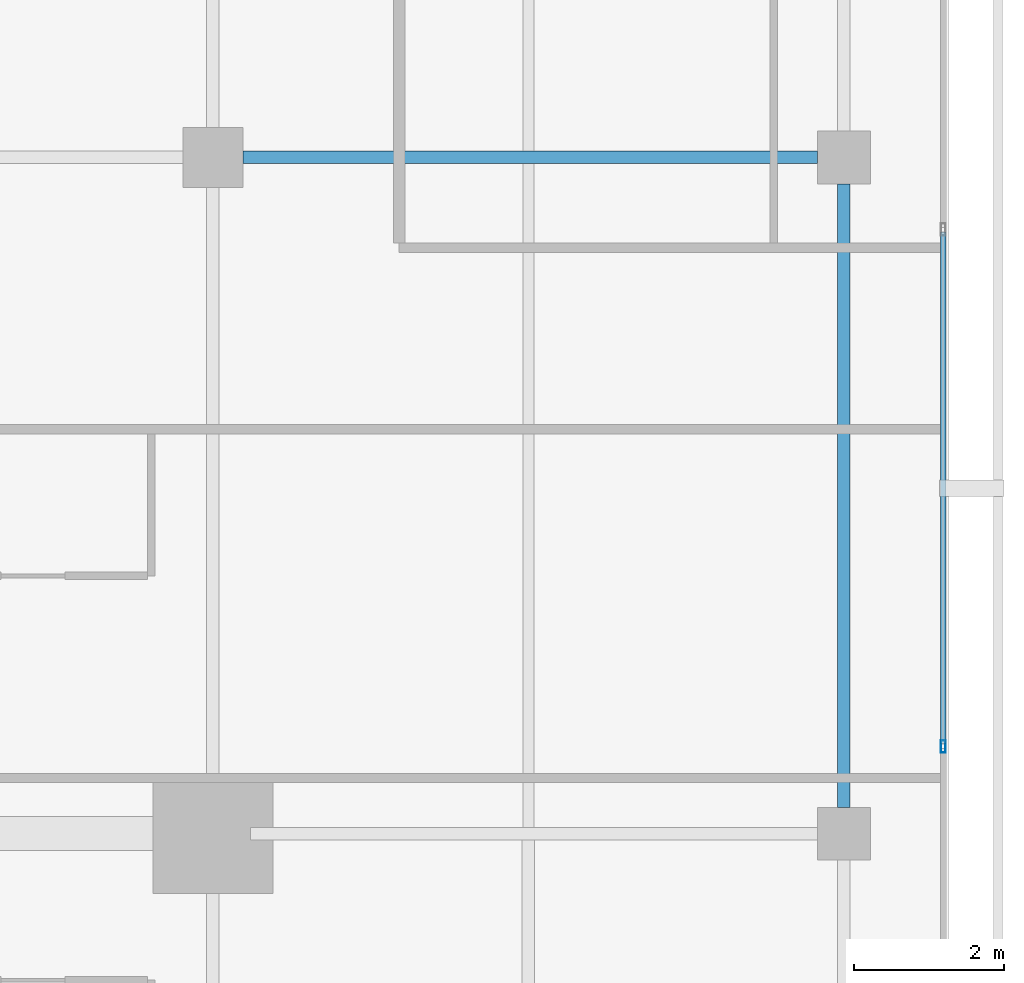
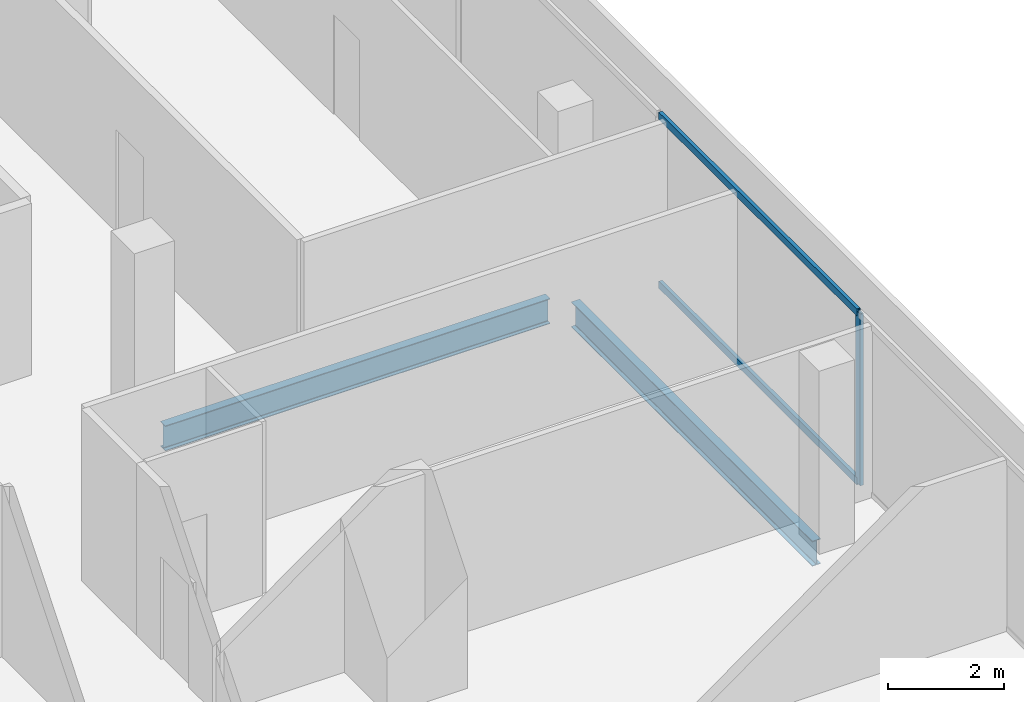
# One storey, part 14 of 25: 3 members, 2 beams, 1 element without a shape of its own.
"""IFC4 building model written with IfcOpenShell, lengths in metres."""

from ifc_helpers import new_model, si_unit, direction, frame, origin, origin_2d, place, context, subcontext, project, spatial, hollow_rectangle, i_section, extrude, material, layer, layer_set, material_profile, profile_set, type_object, element, aggregate, save


model = new_model("IFC4")

# Units and contexts
model_context = context("Model", 3, precision=1e-05, world=origin(), true_north=direction((0.0, 1.0)))
body_context = subcontext(model_context, "Body", "Model", "MODEL_VIEW")
ifc_project = project(units=[si_unit("LENGTHUNIT", "METRE"), si_unit("AREAUNIT", "SQUARE_METRE"), si_unit("VOLUMEUNIT", "CUBIC_METRE"), si_unit("PLANEANGLEUNIT", "RADIAN"), si_unit("MASSUNIT", "GRAM", prefix="KILO")], contexts=[model_context])

# Site, building, storey
site_placement = place(None, origin())
site = spatial("IfcSite", under=ifc_project, at=site_placement, CompositionType="ELEMENT")
building_placement = place(site_placement, origin())
building = spatial("IfcBuilding", under=site, at=building_placement, Name="Maruvema Waterfront Hotel and Observation Tower", CompositionType="ELEMENT")
storey_placement = place(building_placement, frame((0.0, 0.0, 277.89990234375)))
storey = spatial("IfcBuildingStorey", under=building, at=storey_placement, Name="L68", CompositionType="ELEMENT", Elevation=277.89990234375)

# Curtain wall, members
ifc_material_1 = material(Name="Anodised bronze aluminium and solar-control low-E IGU", Category="aluminium")
ifc_layer = layer(ifc_material_1, 0.159912109375, Name="Zone 3 Champagne Inner Thermal Curtain Wall System CW-04")
ifc_layer_set = layer_set([ifc_layer], Name="Anodised bronze aluminium and solar-control low-E IGU")
curtain_wall_type = type_object("IfcCurtainWallType", Name="Zone 3 Champagne Inner Thermal Curtain Wall System CW-04", PredefinedType="USERDEFINED", material=ifc_layer_set)
curtain_wall_placement = place(storey_placement, origin())
curtain_wall = element("IfcCurtainWall", 1, at=curtain_wall_placement, inside=storey, type_object=curtain_wall_type, Name="L68 Curtain Wall CW-L68-E", ObjectType="UNITISED CURTAIN WALL", PredefinedType="USERDEFINED")
ifc_material_2 = material(Name="Anodised architectural bronze aluminium", Category="aluminium")
ifc_material_profile_1 = material_profile(ifc_material_2, hollow_rectangle(XDim=0.070068359375, YDim=0.14990234375, WallThickness=0.00390625, at=origin_2d()), Name="ALU-T70x150")
ifc_profile_set_1 = profile_set([ifc_material_profile_1], Name="Anodised architectural bronze aluminium")
member_type_1 = type_object("IfcMemberType", Name="Curtain Wall Horizontal Transom ALU-T70x150", PredefinedType="USERDEFINED", material=ifc_profile_set_1)
member_1_placement = place(storey_placement, frame((60.1201171875, 28.18994140625, 0.030029296875), z_axis=(0.0, 1.0, 0.0), x_axis=(-1.0, 0.0, 0.0)))
member_1 = element("IfcMember", 2, at=member_1_placement, type_object=member_type_1, Name="CW-04 transom 3.1", ObjectType="TRANSOM", PredefinedType="USERDEFINED", context=body_context, shape_type="SweptSolid", body=[
    extrude(hollow_rectangle(XDim=0.070068359375, YDim=0.14990234375, WallThickness=0.00390625, at=origin_2d()), origin(), (0.0, 0.0, 1.0), 6.820068359375),
])
member_2_placement = place(storey_placement, frame((60.1201171875, 28.18994140625, 3.580078125), z_axis=(0.0, 1.0, 0.0), x_axis=(-1.0, 0.0, 0.0)))
member_2 = element("IfcMember", 3, at=member_2_placement, type_object=member_type_1, Name="CW-04 transom 3.2", ObjectType="TRANSOM", PredefinedType="USERDEFINED", context=body_context, shape_type="SweptSolid", body=[
    extrude(hollow_rectangle(XDim=0.070068359375, YDim=0.14990234375, WallThickness=0.00390625, at=origin_2d()), origin(), (0.0, 0.0, 1.0), 6.820068359375),
])
ifc_material_3 = material(Name="Anodised architectural bronze aluminium", Category="aluminium")
ifc_material_profile_2 = material_profile(ifc_material_3, hollow_rectangle(XDim=0.06494140625, YDim=0.1650390625, WallThickness=0.00390625, at=origin_2d()), Name="ALU-M65x165")
ifc_profile_set_2 = profile_set([ifc_material_profile_2], Name="Anodised architectural bronze aluminium")
member_type_2 = type_object("IfcMemberType", Name="Curtain Wall Primary Mullion ALU-M65x165", PredefinedType="MULLION", material=ifc_profile_set_2)
member_3_placement = place(storey_placement, frame((60.1201171875, 28.159912109375, 0.0), z_axis=(0.0, 0.0, 1.0), x_axis=(-1.0, 0.0, 0.0)))
member_3 = element("IfcMember", 4, at=member_3_placement, type_object=member_type_2, Name="CW-04 mullion 3", PredefinedType="MULLION", context=body_context, shape_type="SweptSolid", body=[
    extrude(hollow_rectangle(XDim=0.06494140625, YDim=0.1650390625, WallThickness=0.00390625, at=origin_2d()), origin(), (0.0, 0.0, 1.0), 3.610107421875),
])
aggregate(curtain_wall, [member_3, member_1, member_2])

# Beams
ifc_material_4 = material(Name="Steel ASTM A572 Grade 50", Category="steel")
ifc_material_profile_3 = material_profile(ifc_material_4, i_section(OverallWidth=0.166015625, OverallDepth=0.529052734375, WebThickness=0.009765625, FlangeThickness=0.013671875, FilletRadius=0.014892578125, at=origin_2d()), Name="W530x74.0")
ifc_profile_set_3 = profile_set([ifc_material_profile_3], Name="Steel ASTM A572 Grade 50")
beam_type = type_object("IfcBeamType", Name="Primary Floor Girder W530x74.0", PredefinedType="BEAM", material=ifc_profile_set_3)
beam_1_placement = place(storey_placement, frame((50.800048828125, 36.0, -0.50439453125), z_axis=(1.0, 0.0, 0.0), x_axis=(0.0, 1.0, 0.0)))
element("IfcBeam", 5, at=beam_1_placement, inside=storey, type_object=beam_type, Name="L68 Floor Girder EW-16", PredefinedType="BEAM", context=body_context, shape_type="SweptSolid", body=[
    extrude(i_section(OverallWidth=0.166015625, OverallDepth=0.529052734375, WebThickness=0.009765625, FlangeThickness=0.013671875, FilletRadius=0.014892578125, at=origin_2d()), origin(), (0.0, 0.0, 1.0), 7.64990234375),
])
beam_2_placement = place(storey_placement, frame((58.800048828125, 27.35009765625, -0.50439453125), z_axis=(0.0, 1.0, 0.0), x_axis=(-1.0, 0.0, 0.0)))
element("IfcBeam", 6, at=beam_2_placement, inside=storey, type_object=beam_type, Name="L68 Floor Girder NS-17", PredefinedType="BEAM", context=body_context, shape_type="SweptSolid", body=[
    extrude(i_section(OverallWidth=0.166015625, OverallDepth=0.529052734375, WebThickness=0.009765625, FlangeThickness=0.013671875, FilletRadius=0.014892578125, at=origin_2d()), origin(), (0.0, 0.0, 1.0), 8.2998046875),
])

save(model, "model.ifc")
